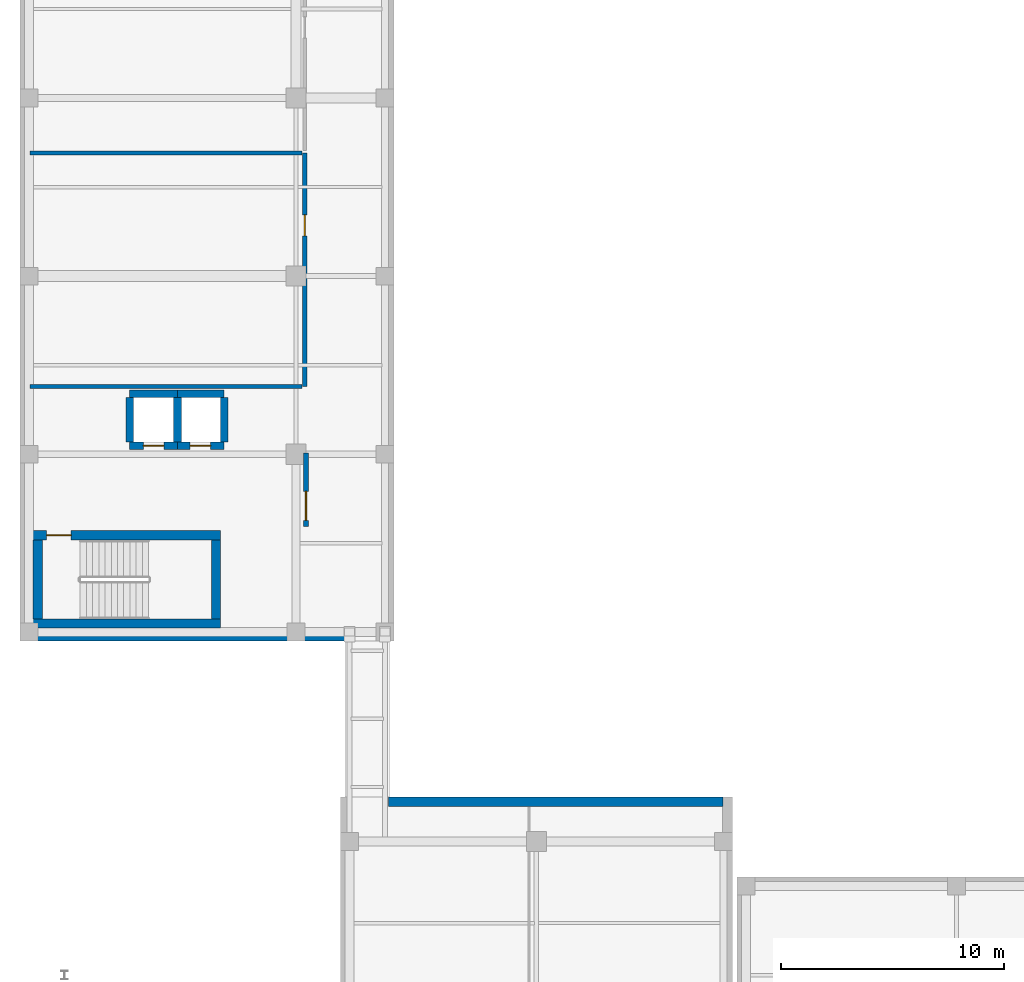
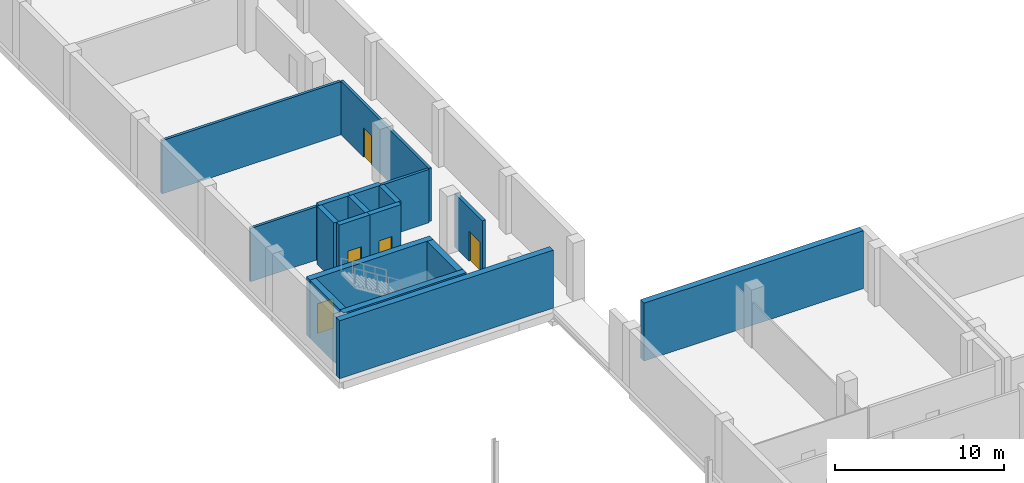
# One storey, part 16 of 31: 17 walls, 5 doors, 5 openings.
"""IFC4 building model written with IfcOpenShell, lengths in metres."""

from ifc_helpers import new_model, si_unit, direction, frame, frame_2d, origin, place, context, subcontext, project, spatial, rectangle, extrude, material, layer, layer_set, type_object, element, fill, save


model = new_model("IFC4")

# Units and contexts
model_context = context("Model", 3, precision=1e-05, world=origin(), true_north=direction((0.0, 1.0)))
body_context = subcontext(model_context, "Body", "Model", "MODEL_VIEW")
ifc_project = project(units=[si_unit("LENGTHUNIT", "METRE"), si_unit("AREAUNIT", "SQUARE_METRE"), si_unit("VOLUMEUNIT", "CUBIC_METRE"), si_unit("PLANEANGLEUNIT", "RADIAN"), si_unit("MASSUNIT", "GRAM", prefix="KILO")], contexts=[model_context])

# Site, building, storey
site_placement = place(None, origin())
site = spatial("IfcSite", under=ifc_project, at=site_placement, CompositionType="ELEMENT")
building_placement = place(site_placement, origin())
building = spatial("IfcBuilding", under=site, at=building_placement, Name="Qalavern Law Courts", CompositionType="ELEMENT")
storey_placement = place(building_placement, frame((0.0, 0.0, -4.199951171875)))
storey = spatial("IfcBuildingStorey", under=building, at=storey_placement, Name="B1", CompositionType="ELEMENT", Elevation=-4.199951171875)

# Walls
ifc_material_1 = material(Name="Concrete C35/45", Category="concrete")
ifc_layer_1 = layer(ifc_material_1, 0.429931640625)
ifc_layer_set_1 = layer_set([ifc_layer_1], Name="Concrete C35/45")
wall_type_1 = type_object("IfcWallType", Name="ENV-EW-RET430", PredefinedType="SOLIDWALL", material=ifc_layer_set_1)
wall_1_placement = place(storey_placement, frame((33.574951171875, 33.784912109375, 0.0), z_axis=(0.0, 0.0, 1.0), x_axis=(-1.0, 0.0, 0.0)))
element("IfcWall", 1, at=wall_1_placement, inside=storey, type_object=wall_type_1, Name="V1 basement retaining wall B1 north", PredefinedType="SOLIDWALL", context=body_context, shape_type="SweptSolid", body=[
    extrude(rectangle(XDim=15.02490234375, YDim=0.429931640625, at=frame_2d((7.512451171875, 0.0))), origin(), (0.0, 0.0, 1.0), 4.199951171875),
])
wall_2_placement = place(storey_placement, frame((2.0, 41.235107421875, 0.0), z_axis=(0.0, 0.0, 1.0), x_axis=(1.0, 0.0, 0.0)))
element("IfcWall", 2, at=wall_2_placement, inside=storey, type_object=wall_type_1, Name="V3 basement retaining wall B1 south", PredefinedType="SOLIDWALL", context=body_context, shape_type="SweptSolid", body=[
    extrude(rectangle(XDim=14.64990234375, YDim=0.429931640625, at=frame_2d((7.324951171875, 0.0))), origin(), (0.0, 0.0, 1.0), 4.199951171875),
])
ifc_material_2 = material(Name="Concrete C45/55", Category="concrete")
ifc_layer_2 = layer(ifc_material_2, 0.4150390625)
ifc_layer_set_2 = layer_set([ifc_layer_2], Name="Concrete C45/55")
wall_type_2 = type_object("IfcWallType", Name="INT-CW-415", PredefinedType="SHEAR", material=ifc_layer_set_2)
wall_3_placement = place(storey_placement, frame((2.5849609375, 41.79248046875, 0.0), z_axis=(0.0, 0.0, 1.0), x_axis=(1.0, 0.0, 0.0)))
element("IfcWall", 3, at=wall_3_placement, inside=storey, type_object=wall_type_2, Name="Core K2 stair shear wall B1 south", PredefinedType="SHEAR", context=body_context, shape_type="SweptSolid", body=[
    extrude(rectangle(XDim=8.429931640625, YDim=0.4150390625, at=frame_2d((4.21484375, 0.0))), origin(), (0.0, 0.0, 1.0), 4.199951171875),
])
wall_4_placement = place(storey_placement, frame((10.8076171875, 42.0, 0.0), z_axis=(0.0, 0.0, 1.0), x_axis=(0.0, 1.0, 0.0)))
element("IfcWall", 4, at=wall_4_placement, inside=storey, type_object=wall_type_2, Name="Core K2 stair shear wall B1 east", PredefinedType="SHEAR", context=body_context, shape_type="SweptSolid", body=[
    extrude(rectangle(XDim=3.550048828125, YDim=0.4150390625, at=frame_2d((1.77490234375, 0.0))), origin(), (0.0, 0.0, 1.0), 4.199951171875),
])

# Wall, opening, door
wall_5_placement = place(storey_placement, frame((11.014892578125, 45.757568359375, 0.0), z_axis=(0.0, 0.0, 1.0), x_axis=(-1.0, 0.0, 0.0)))
wall_5 = element("IfcWall", 5, at=wall_5_placement, inside=storey, type_object=wall_type_2, Name="Core K2 stair shear wall B1 north", PredefinedType="SHEAR", context=body_context, shape_type="SweptSolid", body=[
    extrude(rectangle(XDim=8.429931640625, YDim=0.4150390625, at=frame_2d((4.21484375, 0.0))), origin(), (0.0, 0.0, 1.0), 4.199951171875),
])
opening_1_placement = place(wall_5_placement, frame((6.715087890625, 0.0, 0.0)))
opening_1 = element("IfcOpeningElement", 6, at=opening_1_placement, cuts=wall_5, Name="Opening B1-D051", PredefinedType="OPENING", context=body_context, shape_type="SweptSolid", body=[
    extrude(rectangle(XDim=1.10009765625, YDim=2.14990234375, at=frame_2d((0.550048828125, 1.074951171875))), frame((0.0, 0.222412109375, 0.0), z_axis=(0.0, -1.0, 0.0), x_axis=(1.0, 0.0, 0.0)), (0.0, 0.0, 1.0), 0.44482421875),
])
ifc_material_3 = material(Name="Steel fire-rated stair enclosure door", Category="steel")
door_type_1 = type_object("IfcDoorType", Name="INT-FD-1100x2150", OperationType="NOTDEFINED", PredefinedType="DOOR", material=ifc_material_3)
door_1_placement = place(opening_1_placement, frame((1.10009765625, 0.0, 0.0), z_axis=(0.0, 0.0, 1.0), x_axis=(-1.0, 0.0, 0.0)))
door_1 = element("IfcDoor", 7, at=door_1_placement, inside=storey, type_object=door_type_1, Name="Stair K2 fire door B1", OperationType="SINGLE_SWING_RIGHT", OverallHeight=2.14990234375, OverallWidth=1.10009765625, PredefinedType="DOOR", context=body_context, shape_type="SweptSolid", body=[
    extrude(rectangle(XDim=1.10009765625, YDim=2.14990234375, at=frame_2d((0.550048828125, 1.074951171875))), frame((0.0, 0.02490234375, 0.0), z_axis=(0.0, -1.0, 0.0), x_axis=(1.0, 0.0, 0.0)), (0.0, 0.0, 1.0), 0.050048828125),
])
fill(opening_1, door_1)

# Wall
wall_6_placement = place(storey_placement, frame((2.79248046875, 45.550048828125, 0.0), z_axis=(0.0, 0.0, 1.0), x_axis=(0.0, -1.0, 0.0)))
element("IfcWall", 8, at=wall_6_placement, inside=storey, type_object=wall_type_2, Name="Core K2 stair shear wall B1 west", PredefinedType="SHEAR", context=body_context, shape_type="SweptSolid", body=[
    extrude(rectangle(XDim=3.550048828125, YDim=0.4150390625, at=frame_2d((1.77490234375, 0.0))), origin(), (0.0, 0.0, 1.0), 4.199951171875),
])

# Wall, opening, door
ifc_material_4 = material(Name="Concrete C40/50", Category="concrete")
ifc_layer_3 = layer(ifc_material_4, 0.22509765625)
ifc_layer_set_3 = layer_set([ifc_layer_3], Name="Concrete C40/50")
wall_type_3 = type_object("IfcWallType", Name="INT-FW-225", PredefinedType="PARTITIONING", material=ifc_layer_set_3)
wall_7_placement = place(storey_placement, frame((14.85009765625, 46.14990234375, 0.0), z_axis=(0.0, 0.0, 1.0), x_axis=(0.0, 1.0, 0.0)))
wall_7 = element("IfcWall", 9, at=wall_7_placement, inside=storey, type_object=wall_type_3, Name="Core K2 firefighting/stair lobby fire wall B1", PredefinedType="PARTITIONING", context=body_context, shape_type="SweptSolid", body=[
    extrude(rectangle(XDim=3.300048828125, YDim=0.22509765625, at=frame_2d((1.64990234375, 0.0))), origin(), (0.0, 0.0, 1.0), 3.85986328125),
])
opening_2_placement = place(wall_7_placement, frame((0.280029296875, 0.0, 0.0)))
opening_2 = element("IfcOpeningElement", 10, at=opening_2_placement, cuts=wall_7, Name="Opening B1-D052", PredefinedType="OPENING", context=body_context, shape_type="SweptSolid", body=[
    extrude(rectangle(XDim=1.300048828125, YDim=2.14990234375, at=frame_2d((0.64990234375, 1.074951171875))), frame((0.0, 0.12744140625, 0.0), z_axis=(0.0, -1.0, 0.0), x_axis=(1.0, 0.0, 0.0)), (0.0, 0.0, 1.0), 0.2548828125),
])
ifc_material_5 = material(Name="Steel fire-rated frame and acoustic timber leaves", Category="steel")
door_type_2 = type_object("IfcDoorType", Name="INT-FD-1300x2150", OperationType="DOUBLE_DOOR_SINGLE_SWING", PredefinedType="DOOR", material=ifc_material_5)
door_2_placement = place(opening_2_placement, origin())
door_2 = element("IfcDoor", 11, at=door_2_placement, inside=storey, type_object=door_type_2, Name="Core K2 lobby fire door B1", OperationType="DOUBLE_DOOR_SINGLE_SWING", OverallHeight=2.14990234375, OverallWidth=1.300048828125, PredefinedType="DOOR", context=body_context, shape_type="SweptSolid", body=[
    extrude(rectangle(XDim=1.300048828125, YDim=2.14990234375, at=frame_2d((0.64990234375, 1.074951171875))), frame((0.0, 0.02490234375, 0.0), z_axis=(0.0, -1.0, 0.0), x_axis=(1.0, 0.0, 0.0)), (0.0, 0.0, 1.0), 0.050048828125),
])
fill(opening_2, door_2)

ifc_material_6 = material(Name="Gypsum acoustic stud partition")
ifc_layer_4 = layer(ifc_material_6, 0.18603515625)
ifc_layer_set_4 = layer_set([ifc_layer_4], Name="Gypsum acoustic stud partition")
wall_type_4 = type_object("IfcWallType", Name="INT-PW-186", PredefinedType="PARTITIONING", material=ifc_layer_set_4)
wall_8_placement = place(storey_placement, frame((14.7900390625, 52.43994140625, 0.0), z_axis=(0.0, 0.0, 1.0), x_axis=(0.0, 1.0, 0.0)))
wall_8 = element("IfcWall", 12, at=wall_8_placement, inside=storey, type_object=wall_type_4, Name="Central Custody Suite corridor partition B1", PredefinedType="PARTITIONING", context=body_context, shape_type="SweptSolid", body=[
    extrude(rectangle(XDim=10.485107421875, YDim=0.18603515625, at=frame_2d((5.24267578125, 0.0))), origin(), (0.0, 0.0, 1.0), 3.85986328125),
])
opening_3_placement = place(wall_8_placement, frame((6.767578125, 0.0, 0.0)))
opening_3 = element("IfcOpeningElement", 13, at=opening_3_placement, cuts=wall_8, Name="Opening B1-D198", PredefinedType="OPENING", context=body_context, shape_type="SweptSolid", body=[
    extrude(rectangle(XDim=0.949951171875, YDim=2.1201171875, at=frame_2d((0.47509765625, 1.06005859375))), frame((0.0, 0.10791015625, 0.0), z_axis=(0.0, -1.0, 0.0), x_axis=(1.0, 0.0, 0.0)), (0.0, 0.0, 1.0), 0.2158203125),
])
ifc_material_7 = material(Name="Heavy steel Custody Holding Cell door", Category="steel")
door_type_3 = type_object("IfcDoorType", Name="INT-ID-950x2120", OperationType="NOTDEFINED", PredefinedType="DOOR", material=ifc_material_7)
door_3_placement = place(opening_3_placement, frame((0.949951171875, 0.0, 0.0), z_axis=(0.0, 0.0, 1.0), x_axis=(-1.0, 0.0, 0.0)))
door_3 = element("IfcDoor", 14, at=door_3_placement, inside=storey, type_object=door_type_3, Name="Central Custody Suite door B1", OperationType="SINGLE_SWING_RIGHT", OverallHeight=2.1201171875, OverallWidth=0.949951171875, PredefinedType="DOOR", context=body_context, shape_type="SweptSolid", body=[
    extrude(rectangle(XDim=0.949951171875, YDim=2.1201171875, at=frame_2d((0.47509765625, 1.06005859375))), frame((0.0, 0.02490234375, 0.0), z_axis=(0.0, -1.0, 0.0), x_axis=(1.0, 0.0, 0.0)), (0.0, 0.0, 1.0), 0.050048828125),
])
fill(opening_3, door_3)

# Walls
for number, where, z_axis, x_axis, name in (
    (15, (2.43994140625, 52.43994140625, 0.0), (0.0, 0.0, 1.0), (1.0, 0.0, 0.0), "Central Custody Suite cross partition B1 south"),
    (16, (2.43994140625, 62.925048828125, 0.0), (0.0, 0.0, 1.0), (1.0, 0.0, 0.0), "Central Custody Suite cross partition B1 north"),
):
    element("IfcWall", number, at=place(storey_placement, frame(where, z_axis=z_axis, x_axis=x_axis)), inside=storey, type_object=wall_type_4, Name=name, PredefinedType="PARTITIONING", context=body_context, shape_type="SweptSolid", body=[
        extrude(rectangle(XDim=12.237060546875, YDim=0.18603515625, at=frame_2d((6.11865234375, 0.0))), origin(), (0.0, 0.0, 1.0), 3.85986328125),
    ])

# Wall, opening, door
ifc_layer_5 = layer(ifc_material_2, 0.344970703125)
ifc_layer_set_5 = layer_set([ifc_layer_5], Name="Concrete C45/55")
wall_type_5 = type_object("IfcWallType", Name="INT-SW-345", PredefinedType="SHEAR", material=ifc_layer_set_5)
wall_9_placement = place(storey_placement, frame((6.927490234375, 49.777587890625, 0.0), z_axis=(0.0, 0.0, 1.0), x_axis=(1.0, 0.0, 0.0)))
wall_9 = element("IfcWall", 17, at=wall_9_placement, inside=storey, type_object=wall_type_5, Name="Lift LF-C1 shaft wall B1 south", PredefinedType="SHEAR", context=body_context, shape_type="SweptSolid", body=[
    extrude(rectangle(XDim=2.14501953125, YDim=0.344970703125, at=frame_2d((1.072509765625, 0.0))), origin(), (0.0, 0.0, 1.0), 4.199951171875),
])
opening_4_placement = place(wall_9_placement, frame((0.612548828125, 0.0, 0.0)))
opening_4 = element("IfcOpeningElement", 18, at=opening_4_placement, cuts=wall_9, Name="Opening LD-LF-C1-B1", PredefinedType="OPENING", context=body_context, shape_type="SweptSolid", body=[
    extrude(rectangle(XDim=0.919921875, YDim=2.10009765625, at=frame_2d((0.4599609375, 1.050048828125))), frame((0.0, 0.1875, 0.0), z_axis=(0.0, -1.0, 0.0), x_axis=(1.0, 0.0, 0.0)), (0.0, 0.0, 1.0), 0.374755859375),
])
ifc_material_8 = material(Name="Heavy-gauge steel custody lift sliding landing door", Category="steel")
door_type_4 = type_object("IfcDoorType", Name="INT-LD-920x2100", OperationType="SLIDING_TO_LEFT", PredefinedType="DOOR", material=ifc_material_8)
door_4_placement = place(opening_4_placement, origin())
door_4 = element("IfcDoor", 19, at=door_4_placement, inside=storey, type_object=door_type_4, Name="Lift LF-C1 sliding landing door B1", OperationType="SLIDING_TO_LEFT", OverallHeight=2.10009765625, OverallWidth=0.919921875, PredefinedType="DOOR", context=body_context, shape_type="SweptSolid", body=[
    extrude(rectangle(XDim=0.919921875, YDim=2.10009765625, at=frame_2d((0.4599609375, 1.050048828125))), frame((0.0, 0.02490234375, 0.0), z_axis=(0.0, -1.0, 0.0), x_axis=(1.0, 0.0, 0.0)), (0.0, 0.0, 1.0), 0.050048828125),
])
fill(opening_4, door_4)

# Walls
wall_10_placement = place(storey_placement, frame((9.072509765625, 49.949951171875, 0.0), z_axis=(0.0, 0.0, 1.0), x_axis=(0.0, 1.0, 0.0)))
element("IfcWall", 20, at=wall_10_placement, inside=storey, type_object=wall_type_5, Name="Lift LF-C1 shaft wall B1 east", PredefinedType="SHEAR", context=body_context, shape_type="SweptSolid", body=[
    extrude(rectangle(XDim=2.0, YDim=0.344970703125, at=frame_2d((1.0, 0.0))), origin(), (0.0, 0.0, 1.0), 4.199951171875),
])
wall_11_placement = place(storey_placement, frame((9.072509765625, 52.12255859375, 0.0), z_axis=(0.0, 0.0, 1.0), x_axis=(-1.0, 0.0, 0.0)))
element("IfcWall", 21, at=wall_11_placement, inside=storey, type_object=wall_type_5, Name="Lift LF-C1 shaft wall B1 north", PredefinedType="SHEAR", context=body_context, shape_type="SweptSolid", body=[
    extrude(rectangle(XDim=2.14501953125, YDim=0.344970703125, at=frame_2d((1.072509765625, 0.0))), origin(), (0.0, 0.0, 1.0), 4.199951171875),
])
wall_12_placement = place(storey_placement, frame((6.927490234375, 51.949951171875, 0.0), z_axis=(0.0, 0.0, 1.0), x_axis=(0.0, -1.0, 0.0)))
element("IfcWall", 22, at=wall_12_placement, inside=storey, type_object=wall_type_5, Name="Lift LF-C1 shaft wall B1 west", PredefinedType="SHEAR", context=body_context, shape_type="SweptSolid", body=[
    extrude(rectangle(XDim=2.0, YDim=0.344970703125, at=frame_2d((1.0, 0.0))), origin(), (0.0, 0.0, 1.0), 4.199951171875),
])

# Wall, opening, door
wall_13_placement = place(storey_placement, frame((9.027587890625, 49.777587890625, 0.0), z_axis=(0.0, 0.0, 1.0), x_axis=(1.0, 0.0, 0.0)))
wall_13 = element("IfcWall", 23, at=wall_13_placement, inside=storey, type_object=wall_type_5, Name="Lift LF-C2 shaft wall B1 south", PredefinedType="SHEAR", context=body_context, shape_type="SweptSolid", body=[
    extrude(rectangle(XDim=2.14501953125, YDim=0.344970703125, at=frame_2d((1.072509765625, 0.0))), origin(), (0.0, 0.0, 1.0), 4.199951171875),
])
opening_5_placement = place(wall_13_placement, frame((0.612548828125, 0.0, 0.0)))
opening_5 = element("IfcOpeningElement", 24, at=opening_5_placement, cuts=wall_13, Name="Opening LD-LF-C2-B1", PredefinedType="OPENING", context=body_context, shape_type="SweptSolid", body=[
    extrude(rectangle(XDim=0.919921875, YDim=2.10009765625, at=frame_2d((0.4599609375, 1.050048828125))), frame((0.0, 0.1875, 0.0), z_axis=(0.0, -1.0, 0.0), x_axis=(1.0, 0.0, 0.0)), (0.0, 0.0, 1.0), 0.374755859375),
])
door_5_placement = place(opening_5_placement, origin())
door_5 = element("IfcDoor", 25, at=door_5_placement, inside=storey, type_object=door_type_4, Name="Lift LF-C2 sliding landing door B1", OperationType="SLIDING_TO_LEFT", OverallHeight=2.10009765625, OverallWidth=0.919921875, PredefinedType="DOOR", context=body_context, shape_type="SweptSolid", body=[
    extrude(rectangle(XDim=0.919921875, YDim=2.10009765625, at=frame_2d((0.4599609375, 1.050048828125))), frame((0.0, 0.02490234375, 0.0), z_axis=(0.0, -1.0, 0.0), x_axis=(1.0, 0.0, 0.0)), (0.0, 0.0, 1.0), 0.050048828125),
])
fill(opening_5, door_5)

# Walls
wall_14_placement = place(storey_placement, frame((11.172607421875, 49.949951171875, 0.0), z_axis=(0.0, 0.0, 1.0), x_axis=(0.0, 1.0, 0.0)))
element("IfcWall", 26, at=wall_14_placement, inside=storey, type_object=wall_type_5, Name="Lift LF-C2 shaft wall B1 east", PredefinedType="SHEAR", context=body_context, shape_type="SweptSolid", body=[
    extrude(rectangle(XDim=2.0, YDim=0.344970703125, at=frame_2d((1.0, 0.0))), origin(), (0.0, 0.0, 1.0), 4.199951171875),
])
wall_15_placement = place(storey_placement, frame((11.172607421875, 52.12255859375, 0.0), z_axis=(0.0, 0.0, 1.0), x_axis=(-1.0, 0.0, 0.0)))
element("IfcWall", 27, at=wall_15_placement, inside=storey, type_object=wall_type_5, Name="Lift LF-C2 shaft wall B1 north", PredefinedType="SHEAR", context=body_context, shape_type="SweptSolid", body=[
    extrude(rectangle(XDim=2.14501953125, YDim=0.344970703125, at=frame_2d((1.072509765625, 0.0))), origin(), (0.0, 0.0, 1.0), 4.199951171875),
])

save(model, "model.ifc")
